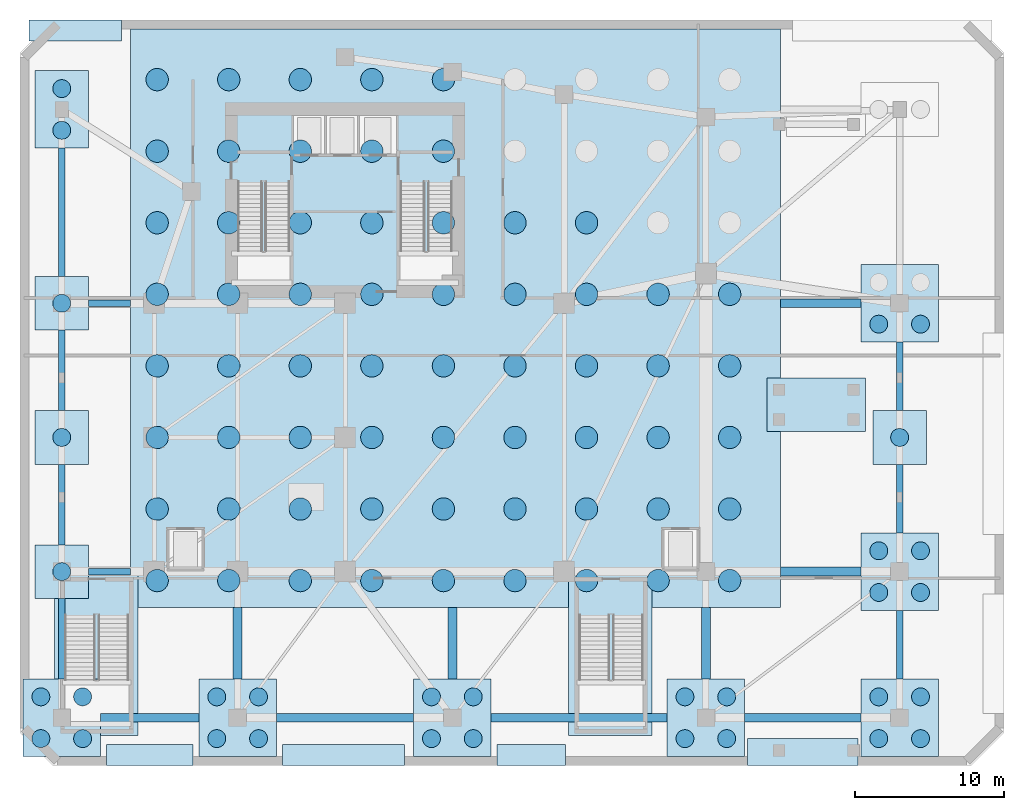
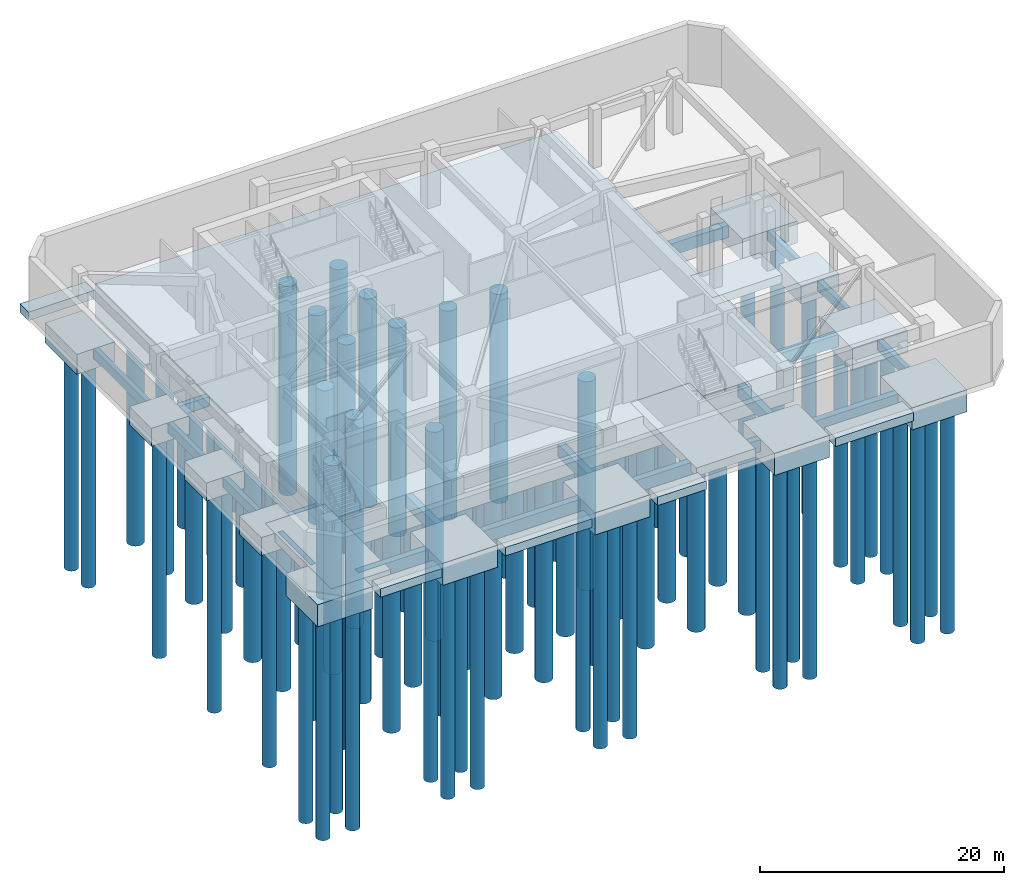
# One storey, part 1 of 9: 94 piles, 39 footings.
"""IFC4 building model written with IfcOpenShell, lengths in metres."""

from ifc_helpers import new_model, si_unit, direction, frame, origin, origin_2d, place, context, subcontext, project, spatial, polyline, rectangle, circle, outline, extrude, source, transform, mapped, material, layer, layer_set, material_profile, profile_set, type_object, element, save


model = new_model("IFC4")

# Units and contexts
model_context = context("Model", 3, precision=1e-05, world=origin(), true_north=direction((0.0, 1.0)))
body_context = subcontext(model_context, "Body", "Model", "MODEL_VIEW")
ifc_project = project(units=[si_unit("LENGTHUNIT", "METRE"), si_unit("AREAUNIT", "SQUARE_METRE"), si_unit("VOLUMEUNIT", "CUBIC_METRE"), si_unit("PLANEANGLEUNIT", "RADIAN"), si_unit("MASSUNIT", "GRAM", prefix="KILO")], contexts=[model_context])

# Site, building, storey
site_placement = place(None, origin())
site = spatial("IfcSite", under=ifc_project, at=site_placement, CompositionType="ELEMENT")
building_placement = place(site_placement, origin())
building = spatial("IfcBuilding", under=site, at=building_placement, Name="Calvemar Wedge Station Tower", CompositionType="ELEMENT")
storey_placement = place(building_placement, frame((0.0, 0.0, -11.199951171875)))
storey = spatial("IfcBuildingStorey", under=building, at=storey_placement, Name="B02", CompositionType="ELEMENT", Elevation=-11.199951171875)

# Footings
ifc_material_1 = material(Name="Concrete C50", Category="concrete")
ifc_layer = layer(ifc_material_1, 3.5)
ifc_layer_set = layer_set([ifc_layer], Name="Concrete C50")
footing_type_1 = type_object("IfcFootingType", Name="FT-RAFT-3500", PredefinedType="CAISSON_FOUNDATION", material=ifc_layer_set)
footing_1_placement = place(storey_placement, frame((0.0, 0.0, -4.0)))
element("IfcFooting", 1, at=footing_1_placement, inside=storey, type_object=footing_type_1, Name="Tower and Concourse Piled Raft Foundation", PredefinedType="CAISSON_FOUNDATION", context=body_context, shape_type="SweptSolid", body=[
    extrude(outline(polyline([(9.39990234375, 12.60009765625), (53.0, 12.60009765625), (53.0, 51.39990234375), (9.39990234375, 51.39990234375), (9.39990234375, 12.60009765625)])), origin(), (0.0, 0.0, 1.0), 3.5),
])
ifc_material_2 = material(Name="Concrete C45", Category="concrete")
footing_type_2 = type_object("IfcFootingType", Name="FT-SF1", PredefinedType="STRIP_FOOTING", material=ifc_material_2)
footing_2_placement = place(storey_placement, frame((0.0, 0.0, -1.35009765625)))
element("IfcFooting", 2, at=footing_2_placement, inside=storey, type_object=footing_type_2, Name="Perimeter Strip Footing SF-N2", PredefinedType="STRIP_FOOTING", context=body_context, shape_type="SweptSolid", body=[
    extrude(outline(polyline([(2.60009765625, 50.60009765625), (8.800048828125, 50.60009765625), (8.800048828125, 52.0), (2.60009765625, 52.0), (2.60009765625, 50.60009765625)])), origin(), (0.0, 0.0, 1.0), 0.85009765625),
])
footing_3_placement = place(storey_placement, frame((0.0, 0.0, -1.35009765625)))
element("IfcFooting", 3, at=footing_3_placement, inside=storey, type_object=footing_type_2, Name="Perimeter Strip Footing SF-S1", PredefinedType="STRIP_FOOTING", context=body_context, shape_type="SweptSolid", body=[
    extrude(outline(polyline([(7.800048828125, 2.0), (13.60009765625, 2.0), (13.60009765625, 3.39990234375), (7.800048828125, 3.39990234375), (7.800048828125, 2.0)])), origin(), (0.0, 0.0, 1.0), 0.85009765625),
])
footing_4_placement = place(storey_placement, frame((0.0, 0.0, -1.35009765625)))
element("IfcFooting", 4, at=footing_4_placement, inside=storey, type_object=footing_type_2, Name="Perimeter Strip Footing SF-S2", PredefinedType="STRIP_FOOTING", context=body_context, shape_type="SweptSolid", body=[
    extrude(outline(polyline([(19.60009765625, 2.0), (27.800048828125, 2.0), (27.800048828125, 3.39990234375), (19.60009765625, 3.39990234375), (19.60009765625, 2.0)])), origin(), (0.0, 0.0, 1.0), 0.85009765625),
])
footing_5_placement = place(storey_placement, frame((0.0, 0.0, -1.35009765625)))
element("IfcFooting", 5, at=footing_5_placement, inside=storey, type_object=footing_type_2, Name="Perimeter Strip Footing SF-S3", PredefinedType="STRIP_FOOTING", context=body_context, shape_type="SweptSolid", body=[
    extrude(outline(polyline([(34.0, 2.0), (38.60009765625, 2.0), (38.60009765625, 3.39990234375), (34.0, 3.39990234375), (34.0, 2.0)])), origin(), (0.0, 0.0, 1.0), 0.85009765625),
])
footing_6_placement = place(storey_placement, frame((0.0, 0.0, -1.35009765625)))
element("IfcFooting", 6, at=footing_6_placement, inside=storey, type_object=footing_type_2, Name="Perimeter Strip Footing SF-S4", PredefinedType="STRIP_FOOTING", context=body_context, shape_type="SweptSolid", body=[
    extrude(outline(polyline([(50.800048828125, 2.0), (58.199951171875, 2.0), (58.199951171875, 3.800048828125), (50.800048828125, 3.800048828125), (50.800048828125, 2.0)])), origin(), (0.0, 0.0, 1.0), 0.85009765625),
])
footing_7_placement = place(storey_placement, frame((0.0, 0.0, -1.35009765625)))
element("IfcFooting", 7, at=footing_7_placement, inside=storey, type_object=footing_type_2, Name="Podium Stair Shaft Mat Footing SF-STP1", PredefinedType="STRIP_FOOTING", context=body_context, shape_type="SweptSolid", body=[
    extrude(outline(polyline([(4.300048828125, 4.0), (9.89990234375, 4.0), (9.89990234375, 14.800048828125), (4.300048828125, 14.800048828125), (4.300048828125, 4.0)])), origin(), (0.0, 0.0, 1.0), 0.85009765625),
])
footing_8_placement = place(storey_placement, frame((0.0, 0.0, -1.35009765625)))
element("IfcFooting", 8, at=footing_8_placement, inside=storey, type_object=footing_type_2, Name="Podium Stair Shaft Mat Footing SF-STP2", PredefinedType="STRIP_FOOTING", context=body_context, shape_type="SweptSolid", body=[
    extrude(outline(polyline([(38.800048828125, 4.0), (44.39990234375, 4.0), (44.39990234375, 14.800048828125), (38.800048828125, 14.800048828125), (38.800048828125, 4.0)])), origin(), (0.0, 0.0, 1.0), 0.85009765625),
])
footing_9_placement = place(storey_placement, frame((0.0, 0.0, -1.35009765625)))
element("IfcFooting", 9, at=footing_9_placement, inside=storey, type_object=footing_type_2, Name="B02 Vehicle Ramp Pier Strip Footing", PredefinedType="STRIP_FOOTING", context=body_context, shape_type="SweptSolid", body=[
    extrude(outline(polyline([(52.10009765625, 24.39990234375), (58.699951171875, 24.39990234375), (58.699951171875, 28.0), (52.10009765625, 28.0), (52.10009765625, 24.39990234375)])), origin(), (0.0, 0.0, 1.0), 0.85009765625),
])

# Piles
ifc_material_profile_1 = material_profile(ifc_material_2, circle(Radius=0.60009765625, at=origin_2d()), Name="PILE-D1200")
ifc_profile_set_1 = profile_set([ifc_material_profile_1], Name="Concrete C45")
pile_type_1 = type_object("IfcPileType", Name="PILE-1200", PredefinedType="BORED", material=ifc_profile_set_1)
for number, where, z_axis, x_axis, name in (
    (10, (3.39990234375, 3.800048828125, -2.60009765625), (0.0, 0.0, -1.0), (1.0, 0.0, 0.0), "Cap Bored Pile PC-001"),
    (11, (6.199951171875, 3.800048828125, -2.60009765625), (0.0, 0.0, -1.0), (1.0, 0.0, 0.0), "Cap Bored Pile PC-002"),
    (12, (3.39990234375, 6.60009765625, -2.60009765625), (0.0, 0.0, -1.0), (1.0, 0.0, 0.0), "Cap Bored Pile PC-003"),
    (13, (6.199951171875, 6.60009765625, -2.60009765625), (0.0, 0.0, -1.0), (1.0, 0.0, 0.0), "Cap Bored Pile PC-004"),
    (14, (15.199951171875, 3.800048828125, -2.60009765625), (0.0, 0.0, -1.0), (1.0, 0.0, 0.0), "Cap Bored Pile PC-005"),
    (15, (18.0, 3.800048828125, -2.60009765625), (0.0, 0.0, -1.0), (1.0, 0.0, 0.0), "Cap Bored Pile PC-006"),
    (16, (15.199951171875, 6.60009765625, -2.60009765625), (0.0, 0.0, -1.0), (1.0, 0.0, 0.0), "Cap Bored Pile PC-007"),
    (17, (18.0, 6.60009765625, -2.60009765625), (0.0, 0.0, -1.0), (1.0, 0.0, 0.0), "Cap Bored Pile PC-008"),
    (18, (29.60009765625, 3.800048828125, -2.60009765625), (0.0, 0.0, -1.0), (1.0, 0.0, 0.0), "Cap Bored Pile PC-009"),
    (19, (32.39990234375, 3.800048828125, -2.60009765625), (0.0, 0.0, -1.0), (1.0, 0.0, 0.0), "Cap Bored Pile PC-010"),
    (20, (29.60009765625, 6.60009765625, -2.60009765625), (0.0, 0.0, -1.0), (1.0, 0.0, 0.0), "Cap Bored Pile PC-011"),
    (21, (32.39990234375, 6.60009765625, -2.60009765625), (0.0, 0.0, -1.0), (1.0, 0.0, 0.0), "Cap Bored Pile PC-012"),
    (22, (46.60009765625, 3.800048828125, -2.60009765625), (0.0, 0.0, -1.0), (1.0, 0.0, 0.0), "Cap Bored Pile PC-013"),
    (23, (49.39990234375, 3.800048828125, -2.60009765625), (0.0, 0.0, -1.0), (1.0, 0.0, 0.0), "Cap Bored Pile PC-014"),
    (24, (46.60009765625, 6.60009765625, -2.60009765625), (0.0, 0.0, -1.0), (1.0, 0.0, 0.0), "Cap Bored Pile PC-015"),
    (25, (49.39990234375, 6.60009765625, -2.60009765625), (0.0, 0.0, -1.0), (1.0, 0.0, 0.0), "Cap Bored Pile PC-016"),
    (26, (59.60009765625, 3.800048828125, -2.60009765625), (0.0, 0.0, -1.0), (1.0, 0.0, 0.0), "Cap Bored Pile PC-017"),
    (27, (62.39990234375, 3.800048828125, -2.60009765625), (0.0, 0.0, -1.0), (1.0, 0.0, 0.0), "Cap Bored Pile PC-018"),
    (28, (59.60009765625, 6.60009765625, -2.60009765625), (0.0, 0.0, -1.0), (1.0, 0.0, 0.0), "Cap Bored Pile PC-019"),
    (29, (62.39990234375, 6.60009765625, -2.60009765625), (0.0, 0.0, -1.0), (1.0, 0.0, 0.0), "Cap Bored Pile PC-020"),
    (30, (59.60009765625, 13.60009765625, -2.60009765625), (0.0, 0.0, -1.0), (1.0, 0.0, 0.0), "Cap Bored Pile PC-021"),
    (31, (62.39990234375, 13.60009765625, -2.60009765625), (0.0, 0.0, -1.0), (1.0, 0.0, 0.0), "Cap Bored Pile PC-022"),
    (32, (59.60009765625, 16.39990234375, -2.60009765625), (0.0, 0.0, -1.0), (1.0, 0.0, 0.0), "Cap Bored Pile PC-023"),
    (33, (62.39990234375, 16.39990234375, -2.60009765625), (0.0, 0.0, -1.0), (1.0, 0.0, 0.0), "Cap Bored Pile PC-024"),
):
    element("IfcPile", number, at=place(storey_placement, frame(where, z_axis=z_axis, x_axis=x_axis)), inside=storey, type_object=pile_type_1, Name=name, PredefinedType="BORED", context=body_context, shape_type="SweptSolid", body=[
        extrude(circle(Radius=0.60009765625, at=origin_2d()), origin(), (0.0, 0.0, 1.0), 22.199951171875),
    ])
pile_placement = place(storey_placement, frame((61.0, 24.0, -2.199951171875), z_axis=(0.0, 0.0, -1.0), x_axis=(1.0, 0.0, 0.0)))
element("IfcPile", 34, at=pile_placement, inside=storey, type_object=pile_type_1, Name="Cap Bored Pile PC-025", PredefinedType="BORED", context=body_context, shape_type="SweptSolid", body=[
    extrude(circle(Radius=0.60009765625, at=origin_2d()), origin(), (0.0, 0.0, 1.0), 22.60009765625),
])
for number, where, z_axis, x_axis, name in (
    (35, (59.60009765625, 31.60009765625, -2.60009765625), (0.0, 0.0, -1.0), (1.0, 0.0, 0.0), "Cap Bored Pile PC-026"),
    (36, (62.39990234375, 31.60009765625, -2.60009765625), (0.0, 0.0, -1.0), (1.0, 0.0, 0.0), "Cap Bored Pile PC-027"),
):
    element("IfcPile", number, at=place(storey_placement, frame(where, z_axis=z_axis, x_axis=x_axis)), inside=storey, type_object=pile_type_1, Name=name, PredefinedType="BORED", context=body_context, shape_type="SweptSolid", body=[
        extrude(circle(Radius=0.60009765625, at=origin_2d()), origin(), (0.0, 0.0, 1.0), 22.199951171875),
    ])
for number, where, z_axis, x_axis, name in (
    (37, (4.800048828125, 15.0, -2.199951171875), (0.0, 0.0, -1.0), (1.0, 0.0, 0.0), "Cap Bored Pile PC-032"),
    (38, (4.800048828125, 24.0, -2.199951171875), (0.0, 0.0, -1.0), (1.0, 0.0, 0.0), "Cap Bored Pile PC-033"),
    (39, (4.800048828125, 33.0, -2.199951171875), (0.0, 0.0, -1.0), (1.0, 0.0, 0.0), "Cap Bored Pile PC-034"),
):
    element("IfcPile", number, at=place(storey_placement, frame(where, z_axis=z_axis, x_axis=x_axis)), inside=storey, type_object=pile_type_1, Name=name, PredefinedType="BORED", context=body_context, shape_type="SweptSolid", body=[
        extrude(circle(Radius=0.60009765625, at=origin_2d()), origin(), (0.0, 0.0, 1.0), 22.60009765625),
    ])
for number, where, z_axis, x_axis, name in (
    (40, (4.800048828125, 44.60009765625, -2.400146484375), (0.0, 0.0, -1.0), (1.0, 0.0, 0.0), "Cap Bored Pile PC-035"),
    (41, (4.800048828125, 47.39990234375, -2.400146484375), (0.0, 0.0, -1.0), (1.0, 0.0, 0.0), "Cap Bored Pile PC-036"),
):
    element("IfcPile", number, at=place(storey_placement, frame(where, z_axis=z_axis, x_axis=x_axis)), inside=storey, type_object=pile_type_1, Name=name, PredefinedType="BORED", context=body_context, shape_type="SweptSolid", body=[
        extrude(circle(Radius=0.60009765625, at=origin_2d()), origin(), (0.0, 0.0, 1.0), 22.39990234375),
    ])
ifc_material_profile_2 = material_profile(ifc_material_2, circle(Radius=0.75, at=origin_2d()), Name="PILE-D1500")
ifc_profile_set_2 = profile_set([ifc_material_profile_2], Name="Concrete C45")
pile_type_2 = type_object("IfcPileType", Name="PILE-1500", PredefinedType="BORED", material=ifc_profile_set_2)
for number, where, z_axis, x_axis, name in (
    (42, (11.199951171875, 14.39990234375, -3.900146484375), (0.0, 0.0, -1.0), (1.0, 0.0, 0.0), "Raft Rock-Socketed Bored Pile P-001"),
    (43, (11.199951171875, 19.199951171875, -3.900146484375), (0.0, 0.0, -1.0), (1.0, 0.0, 0.0), "Raft Rock-Socketed Bored Pile P-002"),
    (44, (11.199951171875, 24.0, -3.900146484375), (0.0, 0.0, -1.0), (1.0, 0.0, 0.0), "Raft Rock-Socketed Bored Pile P-003"),
    (45, (11.199951171875, 28.800048828125, -3.900146484375), (0.0, 0.0, -1.0), (1.0, 0.0, 0.0), "Raft Rock-Socketed Bored Pile P-004"),
    (46, (11.199951171875, 33.60009765625, -3.900146484375), (0.0, 0.0, -1.0), (1.0, 0.0, 0.0), "Raft Rock-Socketed Bored Pile P-005"),
    (47, (11.199951171875, 38.39990234375, -3.900146484375), (0.0, 0.0, -1.0), (1.0, 0.0, 0.0), "Raft Rock-Socketed Bored Pile P-006"),
    (48, (11.199951171875, 43.199951171875, -3.900146484375), (0.0, 0.0, -1.0), (1.0, 0.0, 0.0), "Raft Rock-Socketed Bored Pile P-007"),
    (49, (11.199951171875, 48.0, -3.900146484375), (0.0, 0.0, -1.0), (1.0, 0.0, 0.0), "Raft Rock-Socketed Bored Pile P-008"),
    (50, (16.0, 14.39990234375, -3.900146484375), (0.0, 0.0, -1.0), (1.0, 0.0, 0.0), "Raft Rock-Socketed Bored Pile P-009"),
    (51, (16.0, 19.199951171875, -3.900146484375), (0.0, 0.0, -1.0), (1.0, 0.0, 0.0), "Raft Rock-Socketed Bored Pile P-010"),
    (52, (16.0, 24.0, -3.900146484375), (0.0, 0.0, -1.0), (1.0, 0.0, 0.0), "Raft Rock-Socketed Bored Pile P-011"),
    (53, (16.0, 28.800048828125, -3.900146484375), (0.0, 0.0, -1.0), (1.0, 0.0, 0.0), "Raft Rock-Socketed Bored Pile P-012"),
    (54, (16.0, 33.60009765625, -3.900146484375), (0.0, 0.0, -1.0), (1.0, 0.0, 0.0), "Raft Rock-Socketed Bored Pile P-013"),
    (55, (16.0, 38.39990234375, -3.900146484375), (0.0, 0.0, -1.0), (1.0, 0.0, 0.0), "Raft Rock-Socketed Bored Pile P-014"),
    (56, (16.0, 43.199951171875, -3.900146484375), (0.0, 0.0, -1.0), (1.0, 0.0, 0.0), "Raft Rock-Socketed Bored Pile P-015"),
    (57, (16.0, 48.0, -3.900146484375), (0.0, 0.0, -1.0), (1.0, 0.0, 0.0), "Raft Rock-Socketed Bored Pile P-016"),
    (58, (20.800048828125, 14.39990234375, -3.900146484375), (0.0, 0.0, -1.0), (1.0, 0.0, 0.0), "Raft Rock-Socketed Bored Pile P-017"),
    (59, (20.800048828125, 19.199951171875, -3.900146484375), (0.0, 0.0, -1.0), (1.0, 0.0, 0.0), "Raft Rock-Socketed Bored Pile P-018"),
    (60, (20.800048828125, 24.0, -3.900146484375), (0.0, 0.0, -1.0), (1.0, 0.0, 0.0), "Raft Rock-Socketed Bored Pile P-019"),
    (61, (20.800048828125, 28.800048828125, -3.900146484375), (0.0, 0.0, -1.0), (1.0, 0.0, 0.0), "Raft Rock-Socketed Bored Pile P-020"),
    (62, (20.800048828125, 33.60009765625, -3.900146484375), (0.0, 0.0, -1.0), (1.0, 0.0, 0.0), "Raft Rock-Socketed Bored Pile P-021"),
    (63, (20.800048828125, 38.39990234375, -3.900146484375), (0.0, 0.0, -1.0), (1.0, 0.0, 0.0), "Raft Rock-Socketed Bored Pile P-022"),
    (64, (20.800048828125, 43.199951171875, -3.900146484375), (0.0, 0.0, -1.0), (1.0, 0.0, 0.0), "Raft Rock-Socketed Bored Pile P-023"),
    (65, (20.800048828125, 48.0, -3.900146484375), (0.0, 0.0, -1.0), (1.0, 0.0, 0.0), "Raft Rock-Socketed Bored Pile P-024"),
    (66, (25.60009765625, 14.39990234375, -3.900146484375), (0.0, 0.0, -1.0), (1.0, 0.0, 0.0), "Raft Rock-Socketed Bored Pile P-025"),
    (67, (25.60009765625, 19.199951171875, -3.900146484375), (0.0, 0.0, -1.0), (1.0, 0.0, 0.0), "Raft Rock-Socketed Bored Pile P-026"),
    (68, (25.60009765625, 24.0, -3.900146484375), (0.0, 0.0, -1.0), (1.0, 0.0, 0.0), "Raft Rock-Socketed Bored Pile P-027"),
    (69, (25.60009765625, 28.800048828125, -3.900146484375), (0.0, 0.0, -1.0), (1.0, 0.0, 0.0), "Raft Rock-Socketed Bored Pile P-028"),
    (70, (25.60009765625, 33.60009765625, -3.900146484375), (0.0, 0.0, -1.0), (1.0, 0.0, 0.0), "Raft Rock-Socketed Bored Pile P-029"),
    (71, (25.60009765625, 38.39990234375, -3.900146484375), (0.0, 0.0, -1.0), (1.0, 0.0, 0.0), "Raft Rock-Socketed Bored Pile P-030"),
    (72, (25.60009765625, 43.199951171875, -3.900146484375), (0.0, 0.0, -1.0), (1.0, 0.0, 0.0), "Raft Rock-Socketed Bored Pile P-031"),
    (73, (25.60009765625, 48.0, -3.900146484375), (0.0, 0.0, -1.0), (1.0, 0.0, 0.0), "Raft Rock-Socketed Bored Pile P-032"),
    (74, (30.39990234375, 14.39990234375, -3.900146484375), (0.0, 0.0, -1.0), (1.0, 0.0, 0.0), "Raft Rock-Socketed Bored Pile P-033"),
    (75, (30.39990234375, 19.199951171875, -3.900146484375), (0.0, 0.0, -1.0), (1.0, 0.0, 0.0), "Raft Rock-Socketed Bored Pile P-034"),
    (76, (30.39990234375, 24.0, -3.900146484375), (0.0, 0.0, -1.0), (1.0, 0.0, 0.0), "Raft Rock-Socketed Bored Pile P-035"),
    (77, (30.39990234375, 28.800048828125, -3.900146484375), (0.0, 0.0, -1.0), (1.0, 0.0, 0.0), "Raft Rock-Socketed Bored Pile P-036"),
    (78, (30.39990234375, 33.60009765625, -3.900146484375), (0.0, 0.0, -1.0), (1.0, 0.0, 0.0), "Raft Rock-Socketed Bored Pile P-037"),
    (79, (30.39990234375, 38.39990234375, -3.900146484375), (0.0, 0.0, -1.0), (1.0, 0.0, 0.0), "Raft Rock-Socketed Bored Pile P-038"),
    (80, (30.39990234375, 43.199951171875, -3.900146484375), (0.0, 0.0, -1.0), (1.0, 0.0, 0.0), "Raft Rock-Socketed Bored Pile P-039"),
    (81, (30.39990234375, 48.0, -3.900146484375), (0.0, 0.0, -1.0), (1.0, 0.0, 0.0), "Raft Rock-Socketed Bored Pile P-040"),
    (82, (35.199951171875, 14.39990234375, -3.900146484375), (0.0, 0.0, -1.0), (1.0, 0.0, 0.0), "Raft Rock-Socketed Bored Pile P-041"),
    (83, (35.199951171875, 19.199951171875, -3.900146484375), (0.0, 0.0, -1.0), (1.0, 0.0, 0.0), "Raft Rock-Socketed Bored Pile P-042"),
    (84, (35.199951171875, 24.0, -3.900146484375), (0.0, 0.0, -1.0), (1.0, 0.0, 0.0), "Raft Rock-Socketed Bored Pile P-043"),
    (85, (35.199951171875, 28.800048828125, -3.900146484375), (0.0, 0.0, -1.0), (1.0, 0.0, 0.0), "Raft Rock-Socketed Bored Pile P-044"),
    (86, (35.199951171875, 33.60009765625, -3.900146484375), (0.0, 0.0, -1.0), (1.0, 0.0, 0.0), "Raft Rock-Socketed Bored Pile P-045"),
    (87, (35.199951171875, 38.39990234375, -3.900146484375), (0.0, 0.0, -1.0), (1.0, 0.0, 0.0), "Raft Rock-Socketed Bored Pile P-046"),
    (88, (40.0, 14.39990234375, -3.900146484375), (0.0, 0.0, -1.0), (1.0, 0.0, 0.0), "Raft Rock-Socketed Bored Pile P-049"),
    (89, (40.0, 19.199951171875, -3.900146484375), (0.0, 0.0, -1.0), (1.0, 0.0, 0.0), "Raft Rock-Socketed Bored Pile P-050"),
    (90, (40.0, 24.0, -3.900146484375), (0.0, 0.0, -1.0), (1.0, 0.0, 0.0), "Raft Rock-Socketed Bored Pile P-051"),
    (91, (40.0, 28.800048828125, -3.900146484375), (0.0, 0.0, -1.0), (1.0, 0.0, 0.0), "Raft Rock-Socketed Bored Pile P-052"),
    (92, (40.0, 33.60009765625, -3.900146484375), (0.0, 0.0, -1.0), (1.0, 0.0, 0.0), "Raft Rock-Socketed Bored Pile P-053"),
    (93, (40.0, 38.39990234375, -3.900146484375), (0.0, 0.0, -1.0), (1.0, 0.0, 0.0), "Raft Rock-Socketed Bored Pile P-054"),
    (94, (44.800048828125, 14.39990234375, -3.900146484375), (0.0, 0.0, -1.0), (1.0, 0.0, 0.0), "Raft Rock-Socketed Bored Pile P-057"),
    (95, (44.800048828125, 19.199951171875, -3.900146484375), (0.0, 0.0, -1.0), (1.0, 0.0, 0.0), "Raft Rock-Socketed Bored Pile P-058"),
    (96, (44.800048828125, 24.0, -3.900146484375), (0.0, 0.0, -1.0), (1.0, 0.0, 0.0), "Raft Rock-Socketed Bored Pile P-059"),
    (97, (44.800048828125, 28.800048828125, -3.900146484375), (0.0, 0.0, -1.0), (1.0, 0.0, 0.0), "Raft Rock-Socketed Bored Pile P-060"),
    (98, (44.800048828125, 33.60009765625, -3.900146484375), (0.0, 0.0, -1.0), (1.0, 0.0, 0.0), "Raft Rock-Socketed Bored Pile P-061"),
    (99, (49.60009765625, 14.39990234375, -3.900146484375), (0.0, 0.0, -1.0), (1.0, 0.0, 0.0), "Raft Rock-Socketed Bored Pile P-065"),
    (100, (49.60009765625, 19.199951171875, -3.900146484375), (0.0, 0.0, -1.0), (1.0, 0.0, 0.0), "Raft Rock-Socketed Bored Pile P-066"),
    (101, (49.60009765625, 24.0, -3.900146484375), (0.0, 0.0, -1.0), (1.0, 0.0, 0.0), "Raft Rock-Socketed Bored Pile P-067"),
    (102, (49.60009765625, 28.800048828125, -3.900146484375), (0.0, 0.0, -1.0), (1.0, 0.0, 0.0), "Raft Rock-Socketed Bored Pile P-068"),
    (103, (49.60009765625, 33.60009765625, -3.900146484375), (0.0, 0.0, -1.0), (1.0, 0.0, 0.0), "Raft Rock-Socketed Bored Pile P-069"),
):
    element("IfcPile", number, at=place(storey_placement, frame(where, z_axis=z_axis, x_axis=x_axis)), inside=storey, type_object=pile_type_2, Name=name, PredefinedType="BORED", context=body_context, shape_type="SweptSolid", body=[
        extrude(circle(Radius=0.75, at=origin_2d()), origin(), (0.0, 0.0, 1.0), 20.89990234375),
    ])

# Footings
footing_type_3 = type_object("IfcFootingType", Name="FT-PC-1", PredefinedType="PILE_CAP", material=ifc_material_2)
shared_shape_1 = source(origin(), body_context, "Body", "SweptSolid", [
    extrude(rectangle(XDim=5.199951171875, YDim=5.199951171875, at=origin_2d()), origin(), (0.0, 0.0, 1.0), 2.199951171875),
])
for number, where, z_axis, x_axis, name in (
    (104, (4.800048828125, 5.199951171875, -2.7001953125), (0.0, 0.0, 1.0), (1.0, 0.0, 0.0), "Podium Pile Cap PC1-S1"),
    (105, (16.60009765625, 5.199951171875, -2.7001953125), (0.0, 0.0, 1.0), (1.0, 0.0, 0.0), "Podium Pile Cap PC1-S2"),
    (106, (31.0, 5.199951171875, -2.7001953125), (0.0, 0.0, 1.0), (1.0, 0.0, 0.0), "Podium Pile Cap PC1-S3"),
    (107, (48.0, 5.199951171875, -2.7001953125), (0.0, 0.0, 1.0), (1.0, 0.0, 0.0), "Podium Pile Cap PC1-S4"),
    (108, (61.0, 5.199951171875, -2.7001953125), (0.0, 0.0, 1.0), (1.0, 0.0, 0.0), "Podium Pile Cap PC1-S5"),
    (109, (61.0, 15.0, -2.7001953125), (0.0, 0.0, 1.0), (1.0, 0.0, 0.0), "Podium Pile Cap PC1-E1"),
    (110, (61.0, 33.0, -2.7001953125), (0.0, 0.0, 1.0), (1.0, 0.0, 0.0), "Podium Pile Cap PC1-E2"),
):
    element("IfcFooting", number, at=place(storey_placement, frame(where, z_axis=z_axis, x_axis=x_axis)), inside=storey, type_object=footing_type_3, Name=name, PredefinedType="PILE_CAP", context=body_context, shape_type="MappedRepresentation", body=[
        mapped(shared_shape_1, transform((0.0, 0.0, 0.0), scale=1.0)),
    ])
footing_type_4 = type_object("IfcFootingType", Name="FT-PC-3", PredefinedType="PILE_CAP", material=ifc_material_2)
shared_shape_2 = source(origin(), body_context, "Body", "SweptSolid", [
    extrude(rectangle(XDim=3.60009765625, YDim=3.60009765625, at=origin_2d()), origin(), (0.0, 0.0, 1.0), 1.800048828125),
])
for number, where, z_axis, x_axis, name in (
    (111, (61.0, 24.0, -2.30029296875), (0.0, 0.0, 1.0), (1.0, 0.0, 0.0), "Podium Pile Cap PC1-EM"),
    (112, (4.800048828125, 15.0, -2.30029296875), (0.0, 0.0, 1.0), (1.0, 0.0, 0.0), "Podium Pile Cap PC3-W1"),
    (113, (4.800048828125, 24.0, -2.30029296875), (0.0, 0.0, 1.0), (1.0, 0.0, 0.0), "Podium Pile Cap PC3-WM"),
    (114, (4.800048828125, 33.0, -2.30029296875), (0.0, 0.0, 1.0), (1.0, 0.0, 0.0), "Podium Pile Cap PC3-W2"),
):
    element("IfcFooting", number, at=place(storey_placement, frame(where, z_axis=z_axis, x_axis=x_axis)), inside=storey, type_object=footing_type_4, Name=name, PredefinedType="PILE_CAP", context=body_context, shape_type="MappedRepresentation", body=[
        mapped(shared_shape_2, transform((0.0, 0.0, 0.0), scale=1.0)),
    ])
footing_type_5 = type_object("IfcFootingType", Name="FT-PC-2", PredefinedType="PILE_CAP", material=ifc_material_2)
shared_shape_3 = source(origin(), body_context, "Body", "SweptSolid", [
    extrude(rectangle(XDim=3.60009765625, YDim=5.199951171875, at=origin_2d()), origin(), (0.0, 0.0, 1.0), 2.0),
])
footing_10_placement = place(storey_placement, frame((4.800048828125, 46.0, -2.5), z_axis=(0.0, 0.0, 1.0), x_axis=(1.0, 0.0, 0.0)))
element("IfcFooting", 115, at=footing_10_placement, inside=storey, type_object=footing_type_5, Name="Podium Pile Cap PC2-W3", PredefinedType="PILE_CAP", context=body_context, shape_type="MappedRepresentation", body=[
    mapped(shared_shape_3, transform((0.0, 0.0, 0.0), scale=1.0)),
])
ifc_material_profile_3 = material_profile(ifc_material_2, rectangle(XDim=0.60009765625, YDim=1.199951171875, at=origin_2d()), Name="RC600x1200")
ifc_profile_set_3 = profile_set([ifc_material_profile_3], Name="Concrete C45")
footing_type_6 = type_object("IfcFootingType", Name="FT-GB1", PredefinedType="FOOTING_BEAM", material=ifc_profile_set_3)
shared_shape_4 = source(origin(), body_context, "Body", "SweptSolid", [
    extrude(rectangle(XDim=0.60009765625, YDim=1.199951171875, at=origin_2d()), origin(), (0.0, 0.0, 1.0), 6.60009765625),
])
footing_11_placement = place(storey_placement, frame((7.39990234375, 5.199951171875, -1.10009765625), z_axis=(1.0, 0.0, 0.0), x_axis=(0.0, 1.0, 0.0)))
element("IfcFooting", 116, at=footing_11_placement, inside=storey, type_object=footing_type_6, Name="Foundation Tie Beam GB-S1", PredefinedType="FOOTING_BEAM", context=body_context, shape_type="MappedRepresentation", body=[
    mapped(shared_shape_4, transform((0.0, 0.0, 0.0), scale=1.0)),
])
shared_shape_5 = source(origin(), body_context, "Body", "SweptSolid", [
    extrude(rectangle(XDim=0.60009765625, YDim=1.199951171875, at=origin_2d()), origin(), (0.0, 0.0, 1.0), 9.199951171875),
])
footing_12_placement = place(storey_placement, frame((19.199951171875, 5.199951171875, -1.10009765625), z_axis=(1.0, 0.0, 0.0), x_axis=(0.0, 1.0, 0.0)))
element("IfcFooting", 117, at=footing_12_placement, inside=storey, type_object=footing_type_6, Name="Foundation Tie Beam GB-S2", PredefinedType="FOOTING_BEAM", context=body_context, shape_type="MappedRepresentation", body=[
    mapped(shared_shape_5, transform((0.0, 0.0, 0.0), scale=1.0)),
])
shared_shape_6 = source(origin(), body_context, "Body", "SweptSolid", [
    extrude(rectangle(XDim=0.60009765625, YDim=1.199951171875, at=origin_2d()), origin(), (0.0, 0.0, 1.0), 11.7998046875),
])
footing_13_placement = place(storey_placement, frame((33.60009765625, 5.199951171875, -1.10009765625), z_axis=(1.0, 0.0, 0.0), x_axis=(0.0, 1.0, 0.0)))
element("IfcFooting", 118, at=footing_13_placement, inside=storey, type_object=footing_type_6, Name="Foundation Tie Beam GB-S3", PredefinedType="FOOTING_BEAM", context=body_context, shape_type="MappedRepresentation", body=[
    mapped(shared_shape_6, transform((0.0, 0.0, 0.0), scale=1.0)),
])
shared_shape_7 = source(origin(), body_context, "Body", "SweptSolid", [
    extrude(rectangle(XDim=0.60009765625, YDim=1.199951171875, at=origin_2d()), origin(), (0.0, 0.0, 1.0), 7.7998046875),
])
footing_14_placement = place(storey_placement, frame((50.60009765625, 5.199951171875, -1.10009765625), z_axis=(1.0, 0.0, 0.0), x_axis=(0.0, 1.0, 0.0)))
element("IfcFooting", 119, at=footing_14_placement, inside=storey, type_object=footing_type_6, Name="Foundation Tie Beam GB-S4", PredefinedType="FOOTING_BEAM", context=body_context, shape_type="MappedRepresentation", body=[
    mapped(shared_shape_7, transform((0.0, 0.0, 0.0), scale=1.0)),
])
shared_shape_8 = source(origin(), body_context, "Body", "SweptSolid", [
    extrude(rectangle(XDim=0.60009765625, YDim=1.199951171875, at=origin_2d()), origin(), (0.0, 0.0, 1.0), 4.800048828125),
])
for number, where, z_axis, x_axis, name in (
    (120, (16.60009765625, 7.800048828125, -1.10009765625), (0.0, 1.0, 0.0), (-1.0, 0.0, 0.0), "Foundation Tie Beam GB-NS1"),
    (121, (31.0, 7.800048828125, -1.10009765625), (0.0, 1.0, 0.0), (-1.0, 0.0, 0.0), "Foundation Tie Beam GB-NS2"),
    (122, (48.0, 7.800048828125, -1.10009765625), (0.0, 1.0, 0.0), (-1.0, 0.0, 0.0), "Foundation Tie Beam GB-NS3"),
):
    element("IfcFooting", number, at=place(storey_placement, frame(where, z_axis=z_axis, x_axis=x_axis)), inside=storey, type_object=footing_type_6, Name=name, PredefinedType="FOOTING_BEAM", context=body_context, shape_type="MappedRepresentation", body=[
        mapped(shared_shape_8, transform((0.0, 0.0, 0.0), scale=1.0)),
    ])
shared_shape_9 = source(origin(), body_context, "Body", "SweptSolid", [
    extrude(rectangle(XDim=0.60009765625, YDim=1.199951171875, at=origin_2d()), origin(), (0.0, 0.0, 1.0), 5.39990234375),
])
for number, where, z_axis, x_axis, name in (
    (123, (53.0, 15.0, -1.10009765625), (1.0, 0.0, 0.0), (0.0, 1.0, 0.0), "Foundation Tie Beam GB-EW1"),
    (124, (53.0, 33.0, -1.10009765625), (1.0, 0.0, 0.0), (0.0, 1.0, 0.0), "Foundation Tie Beam GB-EW2"),
):
    element("IfcFooting", number, at=place(storey_placement, frame(where, z_axis=z_axis, x_axis=x_axis)), inside=storey, type_object=footing_type_6, Name=name, PredefinedType="FOOTING_BEAM", context=body_context, shape_type="MappedRepresentation", body=[
        mapped(shared_shape_9, transform((0.0, 0.0, 0.0), scale=1.0)),
    ])
ifc_material_profile_4 = material_profile(ifc_material_2, rectangle(XDim=0.449951171875, YDim=0.949951171875, at=origin_2d()), Name="RC450x950")
ifc_profile_set_4 = profile_set([ifc_material_profile_4], Name="Concrete C45")
footing_type_7 = type_object("IfcFootingType", Name="FT-GB2", PredefinedType="FOOTING_BEAM", material=ifc_profile_set_4)
shared_shape_10 = source(origin(), body_context, "Body", "SweptSolid", [
    extrude(rectangle(XDim=0.449951171875, YDim=0.949951171875, at=origin_2d()), origin(), (0.0, 0.0, 1.0), 5.39990234375),
])
for number, where, z_axis, x_axis, name in (
    (125, (4.800048828125, 7.800048828125, -0.97509765625), (0.0, 1.0, 0.0), (-1.0, 0.0, 0.0), "Foundation Tie Beam GB-W1"),
    (126, (4.800048828125, 16.800048828125, -0.97509765625), (0.0, 1.0, 0.0), (-1.0, 0.0, 0.0), "Foundation Tie Beam GB-W2"),
    (127, (4.800048828125, 25.800048828125, -0.97509765625), (0.0, 1.0, 0.0), (-1.0, 0.0, 0.0), "Foundation Tie Beam GB-W2B"),
):
    element("IfcFooting", number, at=place(storey_placement, frame(where, z_axis=z_axis, x_axis=x_axis)), inside=storey, type_object=footing_type_7, Name=name, PredefinedType="FOOTING_BEAM", context=body_context, shape_type="MappedRepresentation", body=[
        mapped(shared_shape_10, transform((0.0, 0.0, 0.0), scale=1.0)),
    ])
shared_shape_11 = source(origin(), body_context, "Body", "SweptSolid", [
    extrude(rectangle(XDim=0.449951171875, YDim=0.949951171875, at=origin_2d()), origin(), (0.0, 0.0, 1.0), 4.599853515625),
])
for number, where, z_axis, x_axis, name in (
    (128, (61.0, 7.800048828125, -0.97509765625), (0.0, 1.0, 0.0), (-1.0, 0.0, 0.0), "Foundation Tie Beam GB-E1"),
    (129, (61.0, 17.60009765625, -0.97509765625), (0.0, 1.0, 0.0), (-1.0, 0.0, 0.0), "Foundation Tie Beam GB-E2"),
    (130, (61.0, 25.800048828125, -0.97509765625), (0.0, 1.0, 0.0), (-1.0, 0.0, 0.0), "Foundation Tie Beam GB-E2B"),
):
    element("IfcFooting", number, at=place(storey_placement, frame(where, z_axis=z_axis, x_axis=x_axis)), inside=storey, type_object=footing_type_7, Name=name, PredefinedType="FOOTING_BEAM", context=body_context, shape_type="MappedRepresentation", body=[
        mapped(shared_shape_11, transform((0.0, 0.0, 0.0), scale=1.0)),
    ])
shared_shape_12 = source(origin(), body_context, "Body", "SweptSolid", [
    extrude(rectangle(XDim=0.449951171875, YDim=0.949951171875, at=origin_2d()), origin(), (0.0, 0.0, 1.0), 8.599853515625),
])
footing_15_placement = place(storey_placement, frame((4.800048828125, 34.800048828125, -0.97509765625), z_axis=(0.0, 1.0, 0.0), x_axis=(-1.0, 0.0, 0.0)))
element("IfcFooting", 131, at=footing_15_placement, inside=storey, type_object=footing_type_7, Name="Foundation Tie Beam GB-W3", PredefinedType="FOOTING_BEAM", context=body_context, shape_type="MappedRepresentation", body=[
    mapped(shared_shape_12, transform((0.0, 0.0, 0.0), scale=1.0)),
])
shared_shape_13 = source(origin(), body_context, "Body", "SweptSolid", [
    extrude(rectangle(XDim=0.449951171875, YDim=0.949951171875, at=origin_2d()), origin(), (0.0, 0.0, 1.0), 2.7998046875),
])
for number, where, z_axis, x_axis, name in (
    (132, (6.60009765625, 15.0, -0.97509765625), (1.0, 0.0, 0.0), (0.0, 1.0, 0.0), "Foundation Tie Beam GB-WW1"),
    (133, (6.60009765625, 33.0, -0.97509765625), (1.0, 0.0, 0.0), (0.0, 1.0, 0.0), "Foundation Tie Beam GB-WW2"),
):
    element("IfcFooting", number, at=place(storey_placement, frame(where, z_axis=z_axis, x_axis=x_axis)), inside=storey, type_object=footing_type_7, Name=name, PredefinedType="FOOTING_BEAM", context=body_context, shape_type="MappedRepresentation", body=[
        mapped(shared_shape_13, transform((0.0, 0.0, 0.0), scale=1.0)),
    ])

save(model, "model.ifc")
